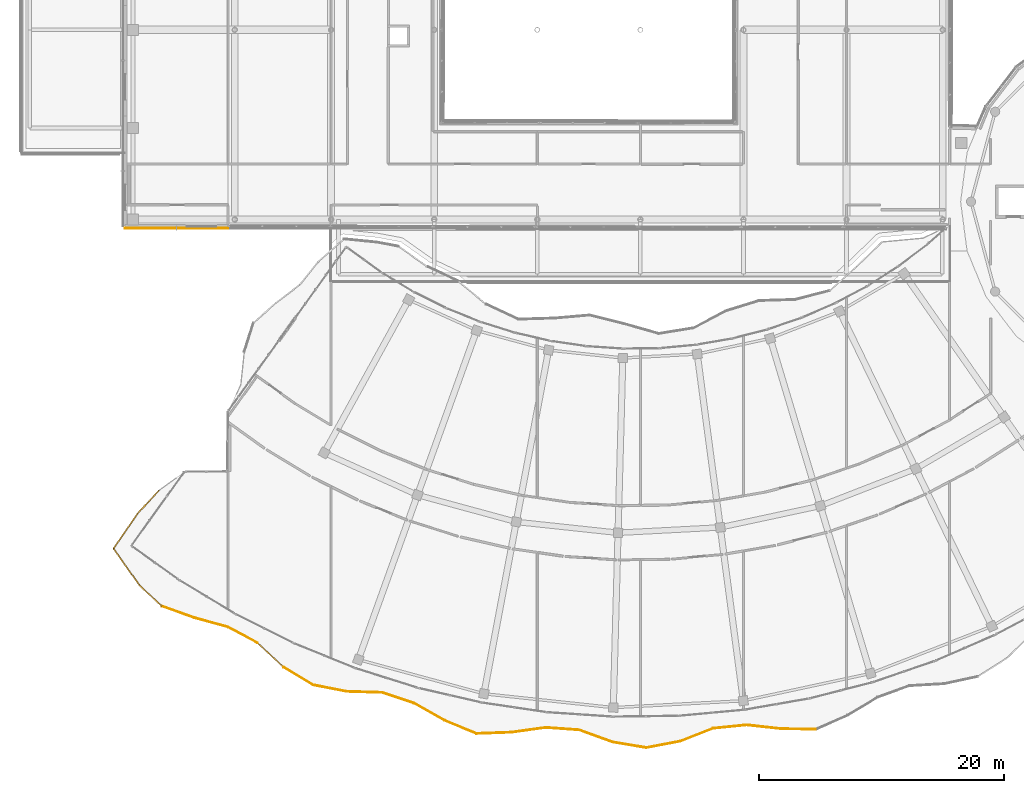
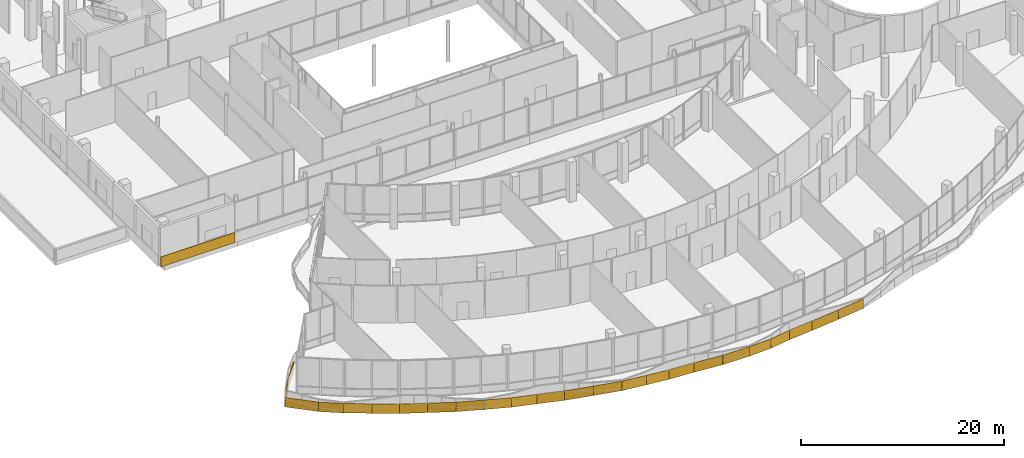
# One storey, part 154 of 168: 25 coverings.
"""IFC4 building model written with IfcOpenShell, lengths in metres."""

from ifc_helpers import new_model, si_unit, direction, frame, origin, origin_2d, place, context, subcontext, project, spatial, polyline, rectangle, outline, extrude, material, layer, layer_set, type_object, element, save


model = new_model("IFC4")

# Units and contexts
model_context = context("Model", 3, precision=1e-05, world=origin(), true_north=direction((0.0, 1.0)))
body_context = subcontext(model_context, "Body", "Model", "MODEL_VIEW")
ifc_project = project(units=[si_unit("LENGTHUNIT", "METRE"), si_unit("AREAUNIT", "SQUARE_METRE"), si_unit("VOLUMEUNIT", "CUBIC_METRE"), si_unit("PLANEANGLEUNIT", "RADIAN"), si_unit("MASSUNIT", "GRAM", prefix="KILO")], contexts=[model_context])

# Site, building, storey
site_placement = place(None, origin())
site = spatial("IfcSite", under=ifc_project, at=site_placement, CompositionType="ELEMENT")
building_placement = place(site_placement, origin())
building = spatial("IfcBuilding", under=site, at=building_placement, Name="Selatvlak General Hospital", CompositionType="ELEMENT")
storey_placement = place(building_placement, frame((0.0, 0.0, 5.39990234375)))
storey = spatial("IfcBuildingStorey", under=building, at=storey_placement, Name="L01", CompositionType="ELEMENT", Elevation=5.39990234375)

# Coverings
ifc_material_1 = material(Name="PVDF aluminium fascia - ochre yellow", Category="aluminium")
ifc_layer_1 = layer(ifc_material_1, 0.070068359375, Name="PVDF aluminium fascia - ochre yellow", Category="aluminium")
ifc_layer_set_1 = layer_set([ifc_layer_1], Name="PVDF aluminium fascia - ochre yellow")
covering_type_1 = type_object("IfcCoveringType", Name="COV-RB-YEL", PredefinedType="CLADDING", material=ifc_layer_set_1)
covering_1_placement = place(storey_placement, frame((17.156982421875, 30.4599609375, -0.7529296875), z_axis=(0.0, 0.0, 1.0), x_axis=(-0.67860018057, -0.734507858998, 0.0)))
element("IfcCovering", 1, at=covering_1_placement, inside=storey, type_object=covering_type_1, Name="L01 De Stijl waving fascia streamer 110", PredefinedType="CLADDING", context=body_context, shape_type="SweptSolid", body=[
    extrude(outline(polyline([(0.0, 0.0), (2.502197265625, -0.4228515625), (2.502197265625, 0.717041015625), (0.0, 1.139892578125), (0.0, 0.0)])), frame((0.0, 0.03515625, 0.0), z_axis=(0.0, -1.0, 0.0), x_axis=(1.0, 0.0, 0.0)), (0.0, 0.0, 1.0), 0.070068359375),
])
covering_2_placement = place(storey_placement, frame((15.4609375, 28.6279296875, -1.17578125), z_axis=(0.0, 0.0, 1.0), x_axis=(-0.567900312288, -0.823097342544, 0.0)))
element("IfcCovering", 2, at=covering_2_placement, inside=storey, type_object=covering_type_1, Name="L01 De Stijl waving fascia streamer 111", PredefinedType="CLADDING", context=body_context, shape_type="SweptSolid", body=[
    extrude(outline(polyline([(0.0, 0.0), (3.510986328125, 0.239990234375), (3.510986328125, 1.3798828125), (0.0, 1.139892578125), (0.0, 0.0)])), frame((0.0, 0.03515625, 0.0), z_axis=(0.0, -1.0, 0.0), x_axis=(1.0, 0.0, 0.0)), (0.0, 0.0, 1.0), 0.070068359375),
])
covering_3_placement = place(storey_placement, frame((13.465087890625, 25.748046875, -0.935791015625), z_axis=(0.0, 0.0, 1.0), x_axis=(0.574142088797, -0.818755678986, 0.0)))
element("IfcCovering", 3, at=covering_3_placement, inside=storey, type_object=covering_type_1, Name="L01 De Stijl waving fascia streamer 112", PredefinedType="CLADDING", context=body_context, shape_type="SweptSolid", body=[
    extrude(outline(polyline([(0.0, 0.0), (3.662841796875, 0.52685546875), (3.662841796875, 1.666748046875), (0.0, 1.139892578125), (0.0, 0.0)])), frame((0.0, 0.03515625, 0.0), z_axis=(0.0, -1.0, 0.0), x_axis=(1.0, 0.0, 0.0)), (0.0, 0.0, 1.0), 0.070068359375),
])
covering_4_placement = place(storey_placement, frame((15.56396484375, 22.75390625, -0.408935546875), z_axis=(0.0, 0.0, 1.0), x_axis=(0.731559464202, -0.68177763995, 0.0)))
element("IfcCovering", 4, at=covering_4_placement, inside=storey, type_object=covering_type_1, Name="L01 De Stijl waving fascia streamer 113", PredefinedType="CLADDING", context=body_context, shape_type="SweptSolid", body=[
    extrude(outline(polyline([(0.0, 0.0), (2.510986328125, 0.22607421875), (2.510986328125, 1.365966796875), (0.0, 1.139892578125), (0.0, 0.0)])), frame((0.0, 0.03515625, 0.0), z_axis=(0.0, -1.0, 0.0), x_axis=(1.0, 0.0, 0.0)), (0.0, 0.0, 1.0), 0.070068359375),
])
covering_5_placement = place(storey_placement, frame((17.40087890625, 21.04296875, -0.182861328125), z_axis=(0.0, 0.0, 1.0), x_axis=(0.941638553587, -0.336625659151, 0.0)))
element("IfcCovering", 5, at=covering_5_placement, inside=storey, type_object=covering_type_1, Name="L01 De Stijl waving fascia streamer 114", PredefinedType="CLADDING", context=body_context, shape_type="SweptSolid", body=[
    extrude(outline(polyline([(0.0, 0.0), (2.83349609375, -0.39306640625), (2.83349609375, 0.746826171875), (0.0, 1.139892578125), (0.0, 0.0)])), frame((0.0, 0.03515625, 0.0), z_axis=(0.0, -1.0, 0.0), x_axis=(1.0, 0.0, 0.0)), (0.0, 0.0, 1.0), 0.070068359375),
])
covering_6_placement = place(storey_placement, frame((20.069091796875, 20.089111328125, -0.575927734375), z_axis=(0.0, 0.0, 1.0), x_axis=(0.964092107394, -0.265568086298, 0.0)))
element("IfcCovering", 6, at=covering_6_placement, inside=storey, type_object=covering_type_1, Name="L01 De Stijl waving fascia streamer 115", PredefinedType="CLADDING", context=body_context, shape_type="SweptSolid", body=[
    extrude(outline(polyline([(0.0, 0.0), (2.83984375, -0.534912109375), (2.83984375, 0.60498046875), (0.0, 1.139892578125), (0.0, 0.0)])), frame((0.0, 0.03515625, 0.0), z_axis=(0.0, -1.0, 0.0), x_axis=(1.0, 0.0, 0.0)), (0.0, 0.0, 1.0), 0.070068359375),
])
covering_7_placement = place(storey_placement, frame((22.805908203125, 19.3349609375, -1.11083984375), z_axis=(0.0, 0.0, 1.0), x_axis=(0.880746190874, -0.473588584387, 0.0)))
element("IfcCovering", 7, at=covering_7_placement, inside=storey, type_object=covering_type_1, Name="L01 De Stijl waving fascia streamer 116", PredefinedType="CLADDING", context=body_context, shape_type="SweptSolid", body=[
    extrude(outline(polyline([(0.0, 0.0), (2.734375, 0.053955078125), (2.734375, 1.19384765625), (0.0, 1.139892578125), (0.0, 0.0)])), frame((0.0, 0.03515625, 0.0), z_axis=(0.0, -1.0, 0.0), x_axis=(1.0, 0.0, 0.0)), (0.0, 0.0, 1.0), 0.070068359375),
])
covering_8_placement = place(storey_placement, frame((25.212890625, 18.041015625, -1.056884765625), z_axis=(0.0, 0.0, 1.0), x_axis=(0.730647138368, -0.682755270353, 0.0)))
element("IfcCovering", 8, at=covering_8_placement, inside=storey, type_object=covering_type_1, Name="L01 De Stijl waving fascia streamer 117", PredefinedType="CLADDING", context=body_context, shape_type="SweptSolid", body=[
    extrude(outline(polyline([(0.0, 0.0), (2.88525390625, 0.570068359375), (2.88525390625, 1.7099609375), (0.0, 1.139892578125), (0.0, 0.0)])), frame((0.0, 0.03515625, 0.0), z_axis=(0.0, -1.0, 0.0), x_axis=(1.0, 0.0, 0.0)), (0.0, 0.0, 1.0), 0.070068359375),
])
covering_9_placement = place(storey_placement, frame((27.321044921875, 16.071044921875, -0.48681640625), z_axis=(0.0, 0.0, 1.0), x_axis=(0.855820758766, -0.517272489956, 0.0)))
element("IfcCovering", 9, at=covering_9_placement, inside=storey, type_object=covering_type_1, Name="L01 De Stijl waving fascia streamer 118", PredefinedType="CLADDING", context=body_context, shape_type="SweptSolid", body=[
    extrude(outline(polyline([(0.0, 0.0), (2.802978515625, 0.305908203125), (2.802978515625, 1.44580078125), (0.0, 1.139892578125), (0.0, 0.0)])), frame((0.0, 0.03515625, 0.0), z_axis=(0.0, -1.0, 0.0), x_axis=(1.0, 0.0, 0.0)), (0.0, 0.0, 1.0), 0.070068359375),
])
covering_10_placement = place(storey_placement, frame((29.718994140625, 14.62109375, -0.180908203125), z_axis=(0.0, 0.0, 1.0), x_axis=(0.98177880715, -0.190027297596, 0.0)))
element("IfcCovering", 10, at=covering_10_placement, inside=storey, type_object=covering_type_1, Name="L01 De Stijl waving fascia streamer 119", PredefinedType="CLADDING", context=body_context, shape_type="SweptSolid", body=[
    extrude(outline(polyline([(0.0, 0.0), (2.816162109375, -0.3759765625), (2.816162109375, 0.763916015625), (0.0, 1.139892578125), (0.0, 0.0)])), frame((0.0, 0.03515625, 0.0), z_axis=(0.0, -1.0, 0.0), x_axis=(1.0, 0.0, 0.0)), (0.0, 0.0, 1.0), 0.070068359375),
])
covering_11_placement = place(storey_placement, frame((32.48388671875, 14.0859375, -0.556884765625), z_axis=(0.0, 0.0, 1.0), x_axis=(0.999562151333, -0.029588944255, 0.0)))
element("IfcCovering", 11, at=covering_11_placement, inside=storey, type_object=covering_type_1, Name="L01 De Stijl waving fascia streamer 120", PredefinedType="CLADDING", context=body_context, shape_type="SweptSolid", body=[
    extrude(outline(polyline([(0.0, 0.0), (2.871337890625, -0.5439453125), (2.871337890625, 0.595947265625), (0.0, 1.139892578125), (0.0, 0.0)])), frame((0.0, 0.03515625, 0.0), z_axis=(0.0, -1.0, 0.0), x_axis=(1.0, 0.0, 0.0)), (0.0, 0.0, 1.0), 0.070068359375),
])
covering_12_placement = place(storey_placement, frame((35.35302734375, 14.0009765625, -1.100830078125), z_axis=(0.0, 0.0, 1.0), x_axis=(0.948790360797, -0.315906396355, 0.0)))
element("IfcCovering", 12, at=covering_12_placement, inside=storey, type_object=covering_type_1, Name="L01 De Stijl waving fascia streamer 121", PredefinedType="CLADDING", context=body_context, shape_type="SweptSolid", body=[
    extrude(outline(polyline([(0.0, 0.0), (2.735107421875, 0.031982421875), (2.735107421875, 1.171875), (0.0, 1.139892578125), (0.0, 0.0)])), frame((0.0, 0.03515625, 0.0), z_axis=(0.0, -1.0, 0.0), x_axis=(1.0, 0.0, 0.0)), (0.0, 0.0, 1.0), 0.070068359375),
])
covering_13_placement = place(storey_placement, frame((37.947998046875, 13.137939453125, -1.06884765625), z_axis=(0.0, 0.0, 1.0), x_axis=(0.870315684331, -0.49249427368, 0.0)))
element("IfcCovering", 13, at=covering_13_placement, inside=storey, type_object=covering_type_1, Name="L01 De Stijl waving fascia streamer 122", PredefinedType="CLADDING", context=body_context, shape_type="SweptSolid", body=[
    extrude(outline(polyline([(0.0, 0.0), (2.852783203125, 0.56298828125), (2.852783203125, 1.702880859375), (0.0, 1.139892578125), (0.0, 0.0)])), frame((0.0, 0.03515625, 0.0), z_axis=(0.0, -1.0, 0.0), x_axis=(1.0, 0.0, 0.0)), (0.0, 0.0, 1.0), 0.070068359375),
])
covering_14_placement = place(storey_placement, frame((40.429931640625, 11.73291015625, -0.505859375), z_axis=(0.0, 0.0, 1.0), x_axis=(0.924337646725, -0.381575568985, 0.0)))
element("IfcCovering", 14, at=covering_14_placement, inside=storey, type_object=covering_type_1, Name="L01 De Stijl waving fascia streamer 123", PredefinedType="CLADDING", context=body_context, shape_type="SweptSolid", body=[
    extrude(outline(polyline([(0.0, 0.0), (2.82470703125, 0.325927734375), (2.82470703125, 1.4658203125), (0.0, 1.139892578125), (0.0, 0.0)])), frame((0.0, 0.03515625, 0.0), z_axis=(0.0, -1.0, 0.0), x_axis=(1.0, 0.0, 0.0)), (0.0, 0.0, 1.0), 0.070068359375),
])
covering_15_placement = place(storey_placement, frame((43.0400390625, 10.655029296875, -0.179931640625), z_axis=(0.0, 0.0, 1.0), x_axis=(0.999350494926, 0.036035930545, 0.0)))
element("IfcCovering", 15, at=covering_15_placement, inside=storey, type_object=covering_type_1, Name="L01 De Stijl waving fascia streamer 124", PredefinedType="CLADDING", context=body_context, shape_type="SweptSolid", body=[
    extrude(outline(polyline([(0.0, 0.0), (2.83203125, -0.35791015625), (2.83203125, 0.781982421875), (0.0, 1.139892578125), (0.0, 0.0)])), frame((0.0, 0.03515625, 0.0), z_axis=(0.0, -1.0, 0.0), x_axis=(1.0, 0.0, 0.0)), (0.0, 0.0, 1.0), 0.070068359375),
])
covering_16_placement = place(storey_placement, frame((45.8701171875, 10.757080078125, -0.537841796875), z_axis=(0.0, 0.0, 1.0), x_axis=(0.990668709123, 0.136291998164, 0.0)))
element("IfcCovering", 16, at=covering_16_placement, inside=storey, type_object=covering_type_1, Name="L01 De Stijl waving fascia streamer 125", PredefinedType="CLADDING", context=body_context, shape_type="SweptSolid", body=[
    extrude(outline(polyline([(0.0, 0.0), (2.846435546875, -0.552001953125), (2.846435546875, 0.587890625), (0.0, 1.139892578125), (0.0, 0.0)])), frame((0.0, 0.03515625, 0.0), z_axis=(0.0, -1.0, 0.0), x_axis=(1.0, 0.0, 0.0)), (0.0, 0.0, 1.0), 0.070068359375),
])
covering_17_placement = place(storey_placement, frame((48.68896484375, 11.14501953125, -1.08984375), z_axis=(0.0, 0.0, 1.0), x_axis=(0.997449622798, -0.071374014743, 0.0)))
element("IfcCovering", 17, at=covering_17_placement, inside=storey, type_object=covering_type_1, Name="L01 De Stijl waving fascia streamer 126", PredefinedType="CLADDING", context=body_context, shape_type="SweptSolid", body=[
    extrude(outline(polyline([(0.0, 0.0), (2.733154296875, 0.009033203125), (2.733154296875, 1.14892578125), (0.0, 1.139892578125), (0.0, 0.0)])), frame((0.0, 0.03515625, 0.0), z_axis=(0.0, -1.0, 0.0), x_axis=(1.0, 0.0, 0.0)), (0.0, 0.0, 1.0), 0.070068359375),
])
covering_18_placement = place(storey_placement, frame((51.4150390625, 10.949951171875, -1.080810546875), z_axis=(0.0, 0.0, 1.0), x_axis=(0.939808276259, -0.341702215204, 0.0)))
element("IfcCovering", 18, at=covering_18_placement, inside=storey, type_object=covering_type_1, Name="L01 De Stijl waving fascia streamer 127", PredefinedType="CLADDING", context=body_context, shape_type="SweptSolid", body=[
    extrude(outline(polyline([(0.0, 0.0), (2.87939453125, 0.556884765625), (2.87939453125, 1.69677734375), (0.0, 1.139892578125), (0.0, 0.0)])), frame((0.0, 0.03515625, 0.0), z_axis=(0.0, -1.0, 0.0), x_axis=(1.0, 0.0, 0.0)), (0.0, 0.0, 1.0), 0.070068359375),
])
covering_19_placement = place(storey_placement, frame((54.1201171875, 9.966064453125, -0.52392578125), z_axis=(0.0, 0.0, 1.0), x_axis=(0.986384530276, -0.164455338719, 0.0)))
element("IfcCovering", 19, at=covering_19_placement, inside=storey, type_object=covering_type_1, Name="L01 De Stijl waving fascia streamer 128", PredefinedType="CLADDING", context=body_context, shape_type="SweptSolid", body=[
    extrude(outline(polyline([(0.0, 0.0), (2.810302734375, 0.343994140625), (2.810302734375, 1.48388671875), (0.0, 1.139892578125), (0.0, 0.0)])), frame((0.0, 0.03515625, 0.0), z_axis=(0.0, -1.0, 0.0), x_axis=(1.0, 0.0, 0.0)), (0.0, 0.0, 1.0), 0.070068359375),
])
covering_20_placement = place(storey_placement, frame((56.89208984375, 9.50390625, -0.179931640625), z_axis=(0.0, 0.0, 1.0), x_axis=(0.982311937546, 0.18725185541, 0.0)))
element("IfcCovering", 20, at=covering_20_placement, inside=storey, type_object=covering_type_1, Name="L01 De Stijl waving fascia streamer 129", PredefinedType="CLADDING", context=body_context, shape_type="SweptSolid", body=[
    extrude(outline(polyline([(0.0, 0.0), (2.809814453125, -0.340087890625), (2.809814453125, 0.7998046875), (0.0, 1.139892578125), (0.0, 0.0)])), frame((0.0, 0.03515625, 0.0), z_axis=(0.0, -1.0, 0.0), x_axis=(1.0, 0.0, 0.0)), (0.0, 0.0, 1.0), 0.070068359375),
])
covering_21_placement = place(storey_placement, frame((59.65087890625, 10.030029296875, -0.52001953125), z_axis=(0.0, 0.0, 1.0), x_axis=(0.930559799059, 0.366139946434, 0.0)))
element("IfcCovering", 21, at=covering_21_placement, inside=storey, type_object=covering_type_1, Name="L01 De Stijl waving fascia streamer 130", PredefinedType="CLADDING", context=body_context, shape_type="SweptSolid", body=[
    extrude(outline(polyline([(0.0, 0.0), (2.881103515625, -0.558837890625), (2.881103515625, 0.5810546875), (0.0, 1.139892578125), (0.0, 0.0)])), frame((0.0, 0.03515625, 0.0), z_axis=(0.0, -1.0, 0.0), x_axis=(1.0, 0.0, 0.0)), (0.0, 0.0, 1.0), 0.070068359375),
])
covering_22_placement = place(storey_placement, frame((62.3310546875, 11.0849609375, -1.078857421875), z_axis=(0.0, 0.0, 1.0), x_axis=(0.995002644412, 0.099848573418, 0.0)))
element("IfcCovering", 22, at=covering_22_placement, inside=storey, type_object=covering_type_1, Name="L01 De Stijl waving fascia streamer 131", PredefinedType="CLADDING", context=body_context, shape_type="SweptSolid", body=[
    extrude(outline(polyline([(0.0, 0.0), (2.733642578125, -0.012939453125), (2.733642578125, 1.126953125), (0.0, 1.139892578125), (0.0, 0.0)])), frame((0.0, 0.03515625, 0.0), z_axis=(0.0, -1.0, 0.0), x_axis=(1.0, 0.0, 0.0)), (0.0, 0.0, 1.0), 0.070068359375),
])
covering_23_placement = place(storey_placement, frame((65.051025390625, 11.35791015625, -1.091796875), z_axis=(0.0, 0.0, 1.0), x_axis=(0.99389732592, -0.110309136199, 0.0)))
element("IfcCovering", 23, at=covering_23_placement, inside=storey, type_object=covering_type_1, Name="L01 De Stijl waving fascia streamer 132", PredefinedType="CLADDING", context=body_context, shape_type="SweptSolid", body=[
    extrude(outline(polyline([(0.0, 0.0), (2.84619140625, 0.5498046875), (2.84619140625, 1.689697265625), (0.0, 1.139892578125), (0.0, 0.0)])), frame((0.0, 0.03515625, 0.0), z_axis=(0.0, -1.0, 0.0), x_axis=(1.0, 0.0, 0.0)), (0.0, 0.0, 1.0), 0.070068359375),
])
covering_24_placement = place(storey_placement, frame((67.87890625, 11.0439453125, -0.5419921875), z_axis=(0.0, 0.0, 1.0), x_axis=(0.999924023969, -0.012326649606, 0.0)))
element("IfcCovering", 24, at=covering_24_placement, inside=storey, type_object=covering_type_1, Name="L01 De Stijl waving fascia streamer 133", PredefinedType="CLADDING", context=body_context, shape_type="SweptSolid", body=[
    extrude(outline(polyline([(0.0, 0.0), (2.832275390625, 0.362060546875), (2.832275390625, 1.501953125), (0.0, 1.139892578125), (0.0, 0.0)])), frame((0.0, 0.03515625, 0.0), z_axis=(0.0, -1.0, 0.0), x_axis=(1.0, 0.0, 0.0)), (0.0, 0.0, 1.0), 0.070068359375),
])
ifc_material_2 = material(Name="White Bauhaus fair-faced cladding panel")
ifc_layer_2 = layer(ifc_material_2, 0.054931640625, Name="White Bauhaus fair-faced cladding panel")
ifc_layer_set_2 = layer_set([ifc_layer_2], Name="White Bauhaus fair-faced cladding panel")
covering_type_2 = type_object("IfcCoveringType", Name="COV-WHT1", PredefinedType="CLADDING", material=ifc_layer_set_2)
covering_25_placement = place(storey_placement, frame((18.60498046875, 51.8349609375, -0.27978515625), z_axis=(0.0, 0.0, 1.0), x_axis=(-1.0, 0.0, 0.0)))
element("IfcCovering", 25, at=covering_25_placement, inside=storey, type_object=covering_type_2, Name="L01 Bauhaus horizontal white spandrel band 0085", PredefinedType="CLADDING", context=body_context, shape_type="SweptSolid", body=[
    extrude(rectangle(XDim=8.408935546875, YDim=0.054931640625, at=origin_2d()), origin(), (0.0, 0.0, 1.0), 1.219970703125),
])

save(model, "model.ifc")
